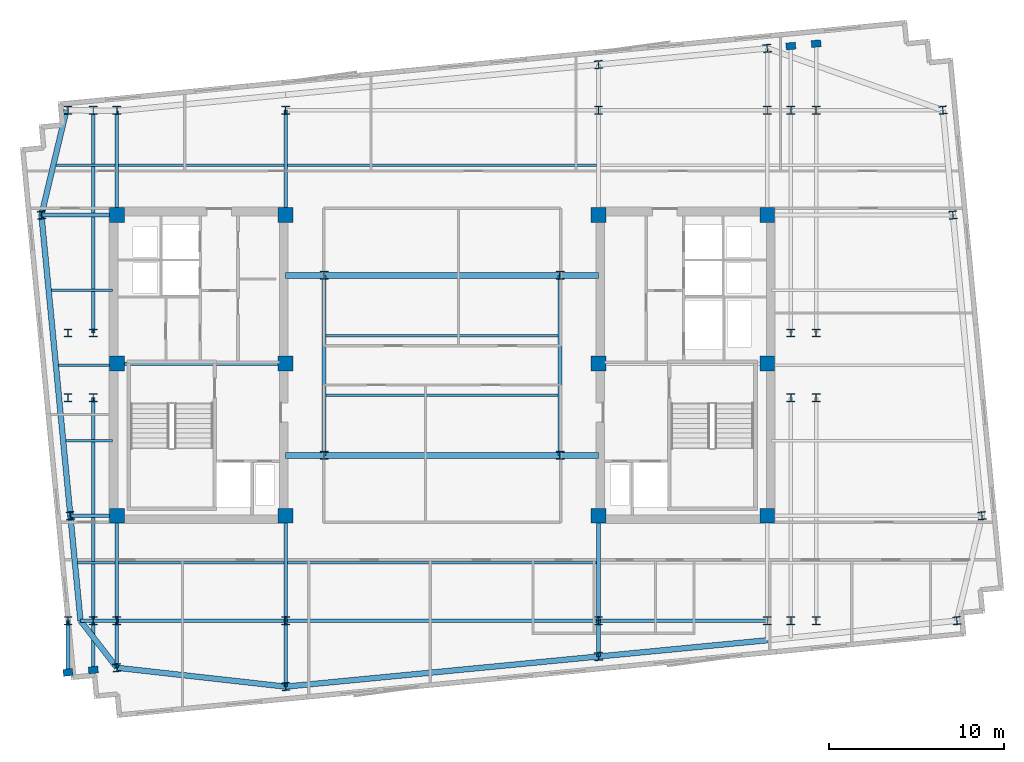
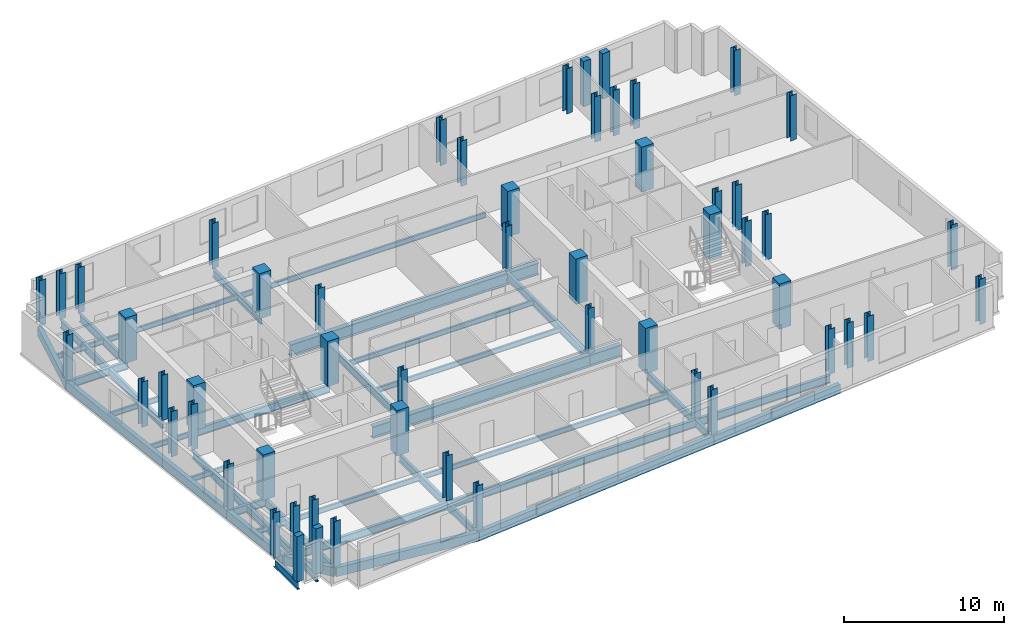
# One storey, part 1 of 9: 55 columns, 45 beams.
"""IFC4 building model written with IfcOpenShell, lengths in metres."""

from ifc_helpers import new_model, si_unit, direction, frame, origin, origin_2d, place, context, subcontext, project, spatial, rectangle, i_section, extrude, material, material_profile, profile_set, type_object, element, save


model = new_model("IFC4")

# Units and contexts
model_context = context("Model", 3, precision=1e-05, world=origin(), true_north=direction((0.0, 1.0)))
body_context = subcontext(model_context, "Body", "Model", "MODEL_VIEW")
ifc_project = project(units=[si_unit("LENGTHUNIT", "METRE"), si_unit("AREAUNIT", "SQUARE_METRE"), si_unit("VOLUMEUNIT", "CUBIC_METRE"), si_unit("PLANEANGLEUNIT", "RADIAN"), si_unit("MASSUNIT", "GRAM", prefix="KILO")], contexts=[model_context])

# Site, building, storey
site_placement = place(None, origin())
site = spatial("IfcSite", under=ifc_project, at=site_placement, CompositionType="ELEMENT")
building_placement = place(site_placement, origin())
building = spatial("IfcBuilding", under=site, at=building_placement, Name="Velakula Bourse", CompositionType="ELEMENT")
storey_placement = place(building_placement, frame((0.0, 0.0, 262.050048828125)))
storey = spatial("IfcBuildingStorey", under=building, at=storey_placement, Name="L71", CompositionType="ELEMENT", Elevation=262.050048828125)

# Columns
ifc_material_1 = material(Name="Concrete M50 (fck 50 MPa)", Category="concrete")
ifc_material_profile_1 = material_profile(ifc_material_1, rectangle(XDim=0.85009765625, YDim=0.85009765625, at=origin_2d()), Name="Concrete M50 (fck 50 MPa)")
ifc_profile_set_1 = profile_set([ifc_material_profile_1], Name="Concrete M50 (fck 50 MPa)")
column_type_1 = type_object("IfcColumnType", Name="COL-RC-850", PredefinedType="COLUMN", material=ifc_profile_set_1)
for number, where, z_axis, x_axis, name in (
    (1, (-8.949951171875, -8.60009765625, 0.0), (0.0, 0.0, 1.0), (1.0, 0.0, 0.0), "L71 Core Boundary Column 01"),
    (2, (-8.949951171875, 0.10009765625, 0.0), (0.0, 0.0, 1.0), (1.0, 0.0, 0.0), "L71 Core Boundary Column 02"),
    (3, (-8.949951171875, 8.60009765625, 0.0), (0.0, 0.0, 1.0), (1.0, 0.0, 0.0), "L71 Core Boundary Column 03"),
    (4, (-18.60009765625, -8.60009765625, 0.0), (0.0, 0.0, 1.0), (1.0, 0.0, 0.0), "L71 Core Boundary Column 04"),
    (5, (-18.60009765625, 0.10009765625, 0.0), (0.0, 0.0, 1.0), (1.0, 0.0, 0.0), "L71 Core Boundary Column 05"),
    (6, (-18.60009765625, 8.60009765625, 0.0), (0.0, 0.0, 1.0), (1.0, 0.0, 0.0), "L71 Core Boundary Column 06"),
    (7, (8.949951171875, -8.60009765625, 0.0), (0.0, 0.0, 1.0), (1.0, 0.0, 0.0), "L71 Core Boundary Column 07"),
    (8, (8.949951171875, 0.10009765625, 0.0), (0.0, 0.0, 1.0), (1.0, 0.0, 0.0), "L71 Core Boundary Column 08"),
    (9, (8.949951171875, 8.60009765625, 0.0), (0.0, 0.0, 1.0), (1.0, 0.0, 0.0), "L71 Core Boundary Column 09"),
    (10, (18.60009765625, -8.60009765625, 0.0), (0.0, 0.0, 1.0), (1.0, 0.0, 0.0), "L71 Core Boundary Column 10"),
    (11, (18.60009765625, 0.10009765625, 0.0), (0.0, 0.0, 1.0), (1.0, 0.0, 0.0), "L71 Core Boundary Column 11"),
    (12, (18.60009765625, 8.60009765625, 0.0), (0.0, 0.0, 1.0), (1.0, 0.0, 0.0), "L71 Core Boundary Column 12"),
):
    element("IfcColumn", number, at=place(storey_placement, frame(where, z_axis=z_axis, x_axis=x_axis)), inside=storey, type_object=column_type_1, Name=name, PredefinedType="COLUMN", context=body_context, shape_type="SweptSolid", body=[
        extrude(rectangle(XDim=0.85009765625, YDim=0.85009765625, at=origin_2d()), origin(), (0.0, 0.0, 1.0), 3.449951171875),
    ])
ifc_material_2 = material(Name="Steel IS 2062 Grade 350 (E350)", Category="steel")
ifc_material_profile_2 = material_profile(ifc_material_2, i_section(OverallWidth=0.449951171875, OverallDepth=0.449951171875, WebThickness=0.02197265625, FlangeThickness=0.031982421875, at=origin_2d()), Name="Steel IS 2062 Grade 350 (E350)")
ifc_profile_set_2 = profile_set([ifc_material_profile_2], Name="Steel IS 2062 Grade 350 (E350)")
column_type_2 = type_object("IfcColumnType", Name="COL-STL-450", PredefinedType="COLUMN", material=ifc_profile_set_2)
for number, where, z_axis, x_axis, name in (
    (13, (-6.75, -5.14990234375, 0.0), (0.0, 0.0, 1.0), (1.0, 0.0, 0.0), "L71 Central Spine Column 01"),
    (14, (-6.75, 5.14990234375, 0.0), (0.0, 0.0, 1.0), (1.0, 0.0, 0.0), "L71 Central Spine Column 02"),
    (15, (6.75, -5.14990234375, 0.0), (0.0, 0.0, 1.0), (1.0, 0.0, 0.0), "L71 Central Spine Column 03"),
    (16, (6.75, 5.14990234375, 0.0), (0.0, 0.0, 1.0), (1.0, 0.0, 0.0), "L71 Central Spine Column 04"),
    (17, (-21.39990234375, -14.60009765625, 0.0), (0.0, 0.0, 1.0), (1.0, 0.0, 0.0), "L71 Tower Fulcrum Column 01"),
    (18, (-21.39990234375, 14.60009765625, 0.0), (0.0, 0.0, 1.0), (1.0, 0.0, 0.0), "L71 Tower Fulcrum Column 02"),
    (19, (-19.949951171875, -14.60009765625, 0.0), (0.0, 0.0, 1.0), (1.0, 0.0, 0.0), "L71 Tower Fulcrum Column 03"),
    (20, (-19.949951171875, 14.60009765625, 0.0), (0.0, 0.0, 1.0), (1.0, 0.0, 0.0), "L71 Tower Fulcrum Column 04"),
    (21, (-18.60009765625, -14.60009765625, 0.0), (0.0, 0.0, 1.0), (1.0, 0.0, 0.0), "L71 Tower Fulcrum Column 05"),
    (22, (-18.60009765625, 14.60009765625, 0.0), (0.0, 0.0, 1.0), (1.0, 0.0, 0.0), "L71 Tower Fulcrum Column 06"),
    (23, (-8.949951171875, -14.60009765625, 0.0), (0.0, 0.0, 1.0), (1.0, 0.0, 0.0), "L71 Tower Fulcrum Column 07"),
    (24, (-8.949951171875, 14.60009765625, 0.0), (0.0, 0.0, 1.0), (1.0, 0.0, 0.0), "L71 Tower Fulcrum Column 08"),
    (25, (8.949951171875, -14.60009765625, 0.0), (0.0, 0.0, 1.0), (1.0, 0.0, 0.0), "L71 Tower Fulcrum Column 09"),
    (26, (8.949951171875, 14.60009765625, 0.0), (0.0, 0.0, 1.0), (1.0, 0.0, 0.0), "L71 Tower Fulcrum Column 10"),
    (27, (18.60009765625, -14.60009765625, 0.0), (0.0, 0.0, 1.0), (1.0, 0.0, 0.0), "L71 Tower Fulcrum Column 11"),
    (28, (18.60009765625, 14.60009765625, 0.0), (0.0, 0.0, 1.0), (1.0, 0.0, 0.0), "L71 Tower Fulcrum Column 12"),
    (29, (19.949951171875, -14.60009765625, 0.0), (0.0, 0.0, 1.0), (1.0, 0.0, 0.0), "L71 Tower Fulcrum Column 13"),
    (30, (19.949951171875, 14.60009765625, 0.0), (0.0, 0.0, 1.0), (1.0, 0.0, 0.0), "L71 Tower Fulcrum Column 14"),
    (31, (21.39990234375, -14.60009765625, 0.0), (0.0, 0.0, 1.0), (1.0, 0.0, 0.0), "L71 Tower Fulcrum Column 15"),
    (32, (21.39990234375, 14.60009765625, 0.0), (0.0, 0.0, 1.0), (1.0, 0.0, 0.0), "L71 Tower Fulcrum Column 16"),
    (33, (-21.39990234375, -1.85009765625, 0.0), (0.0, 0.0, 1.0), (1.0, 0.0, 0.0), "L71 Tower Fulcrum Column 17"),
    (34, (-21.39990234375, 1.85009765625, 0.0), (0.0, 0.0, 1.0), (1.0, 0.0, 0.0), "L71 Tower Fulcrum Column 18"),
    (35, (-19.949951171875, -1.85009765625, 0.0), (0.0, 0.0, 1.0), (1.0, 0.0, 0.0), "L71 Tower Fulcrum Column 19"),
    (36, (-19.949951171875, 1.85009765625, 0.0), (0.0, 0.0, 1.0), (1.0, 0.0, 0.0), "L71 Tower Fulcrum Column 20"),
    (37, (19.949951171875, -1.85009765625, 0.0), (0.0, 0.0, 1.0), (1.0, 0.0, 0.0), "L71 Tower Fulcrum Column 21"),
    (38, (19.949951171875, 1.85009765625, 0.0), (0.0, 0.0, 1.0), (1.0, 0.0, 0.0), "L71 Tower Fulcrum Column 22"),
    (39, (21.39990234375, -1.85009765625, 0.0), (0.0, 0.0, 1.0), (1.0, 0.0, 0.0), "L71 Tower Fulcrum Column 23"),
    (40, (21.39990234375, 1.85009765625, 0.0), (0.0, 0.0, 1.0), (1.0, 0.0, 0.0), "L71 Tower Fulcrum Column 24"),
    (41, (-18.60009765625, -17.294921875, 0.0), (0.0, 0.0, 1.0), (0.995396198367, 0.09584575252, 0.0), "L71 Block B6 Perimeter Column S1"),
    (42, (-8.949951171875, -18.375, 0.0), (0.0, 0.0, 1.0), (0.995396198367, 0.09584575252, 0.0), "L71 Block B6 Perimeter Column S2"),
    (43, (8.949951171875, -16.6513671875, 0.0), (0.0, 0.0, 1.0), (0.995396198367, 0.09584575252, 0.0), "L71 Block B6 Perimeter Column S3"),
    (44, (8.949951171875, 17.20458984375, 0.0), (0.0, 0.0, 1.0), (0.995396198367, 0.09584575252, 0.0), "L71 Block B6 Perimeter Column N3"),
    (45, (18.60009765625, 18.1337890625, 0.0), (0.0, 0.0, 1.0), (0.995396198367, 0.09584575252, 0.0), "L71 Block B6 Perimeter Column N4"),
    (46, (-21.26123046875, -8.60009765625, 0.0), (0.0, 0.0, 1.0), (0.995396198367, 0.09584575252, 0.0), "L71 Block B6 Perimeter Column W2"),
    (47, (-22.91748046875, 8.60009765625, 0.0), (0.0, 0.0, 1.0), (0.995396198367, 0.09584575252, 0.0), "L71 Block B6 Perimeter Column W3"),
    (48, (29.447265625, -14.60009765625, 0.0), (0.0, 0.0, 1.0), (0.995396198367, 0.09584575252, 0.0), "L71 Block B6 Perimeter Column E1"),
    (49, (30.87890625, -8.60009765625, 0.0), (0.0, 0.0, 1.0), (0.995396198367, 0.09584575252, 0.0), "L71 Block B6 Perimeter Column E2"),
    (50, (29.22265625, 8.60009765625, 0.0), (0.0, 0.0, 1.0), (0.995396198367, 0.09584575252, 0.0), "L71 Block B6 Perimeter Column E3"),
    (51, (28.64501953125, 14.60009765625, 0.0), (0.0, 0.0, 1.0), (0.995396198367, 0.09584575252, 0.0), "L71 Block B6 Perimeter Column E4"),
):
    element("IfcColumn", number, at=place(storey_placement, frame(where, z_axis=z_axis, x_axis=x_axis)), inside=storey, type_object=column_type_2, Name=name, PredefinedType="COLUMN", context=body_context, shape_type="SweptSolid", body=[
        extrude(i_section(OverallWidth=0.449951171875, OverallDepth=0.449951171875, WebThickness=0.02197265625, FlangeThickness=0.031982421875, at=origin_2d()), origin(), (0.0, 0.0, 1.0), 3.449951171875),
    ])
ifc_material_3 = material(Name="Precast concrete M45 (fck 45 MPa)", Category="concrete")
ifc_material_profile_3 = material_profile(ifc_material_3, rectangle(XDim=0.550048828125, YDim=0.39990234375, at=origin_2d()), Name="Precast concrete M45 (fck 45 MPa)")
ifc_profile_set_3 = profile_set([ifc_material_profile_3], Name="Precast concrete M45 (fck 45 MPa)")
column_type_3 = type_object("IfcColumnType", Name="PIL-BRICK-550", PredefinedType="PILASTER", material=ifc_profile_set_3)
for number, where, z_axis, x_axis, name in (
    (52, (-21.39990234375, -17.564453125, 0.0), (0.0, 0.0, 1.0), (0.995396198367, 0.09584575252, 0.0), "L71 Brick Pier Pilaster 01"),
    (53, (-19.949951171875, -17.4248046875, 0.0), (0.0, 0.0, 1.0), (0.995396198367, 0.09584575252, 0.0), "L71 Brick Pier Pilaster 02"),
    (54, (19.949951171875, 18.263671875, 0.0), (0.0, 0.0, 1.0), (0.995396198367, 0.09584575252, 0.0), "L71 Brick Pier Pilaster 07"),
    (55, (21.39990234375, 18.4033203125, 0.0), (0.0, 0.0, 1.0), (0.995396198367, 0.09584575252, 0.0), "L71 Brick Pier Pilaster 08"),
):
    element("IfcColumn", number, at=place(storey_placement, frame(where, z_axis=z_axis, x_axis=x_axis)), inside=storey, type_object=column_type_3, Name=name, PredefinedType="PILASTER", context=body_context, shape_type="SweptSolid", body=[
        extrude(rectangle(XDim=0.550048828125, YDim=0.39990234375, at=origin_2d()), origin(), (0.0, 0.0, 1.0), 3.449951171875),
    ])

# Beams
ifc_material_profile_4 = material_profile(ifc_material_2, i_section(OverallWidth=0.2099609375, OverallDepth=0.60009765625, WebThickness=0.011962890625, FlangeThickness=0.020751953125, at=origin_2d()), Name="Steel IS 2062 Grade 350 (E350)")
ifc_profile_set_4 = profile_set([ifc_material_profile_4], Name="Steel IS 2062 Grade 350 (E350)")
beam_type_1 = type_object("IfcBeamType", Name="BM-GRD-600L", PredefinedType="BEAM", material=ifc_profile_set_4)
beam_1_placement = place(storey_placement, frame((-18.60009765625, 0.10009765625, -0.47998046875), z_axis=(1.0, 0.0, 0.0), x_axis=(0.0, 1.0, 0.0)))
element("IfcBeam", 56, at=beam_1_placement, inside=storey, type_object=beam_type_1, Name="L71 Primary Backbone Girder CRW-M", PredefinedType="BEAM", context=body_context, shape_type="SweptSolid", body=[
    extrude(i_section(OverallWidth=0.2099609375, OverallDepth=0.60009765625, WebThickness=0.011962890625, FlangeThickness=0.020751953125, at=origin_2d()), origin(), (0.0, 0.0, 1.0), 9.650146484375),
])
for number, where, z_axis, x_axis, name in (
    (57, (-6.75, -5.14990234375, -0.47998046875), (0.0, 1.0, 0.0), (-1.0, 0.0, 0.0), "L71 Primary Backbone Girder SPN-W"),
    (58, (6.75, -5.14990234375, -0.47998046875), (0.0, 1.0, 0.0), (-1.0, 0.0, 0.0), "L71 Primary Backbone Girder SPN-E"),
):
    element("IfcBeam", number, at=place(storey_placement, frame(where, z_axis=z_axis, x_axis=x_axis)), inside=storey, type_object=beam_type_1, Name=name, PredefinedType="BEAM", context=body_context, shape_type="SweptSolid", body=[
        extrude(i_section(OverallWidth=0.2099609375, OverallDepth=0.60009765625, WebThickness=0.011962890625, FlangeThickness=0.020751953125, at=origin_2d()), origin(), (0.0, 0.0, 1.0), 10.2998046875),
    ])
beam_2_placement = place(storey_placement, frame((-18.60009765625, -14.60009765625, -0.47998046875), z_axis=(0.0, 1.0, 0.0), x_axis=(-1.0, 0.0, 0.0)))
element("IfcBeam", 59, at=beam_2_placement, inside=storey, type_object=beam_type_1, Name="L71 Fulcrum Grid Girder FLC-WS", PredefinedType="BEAM", context=body_context, shape_type="SweptSolid", body=[
    extrude(i_section(OverallWidth=0.2099609375, OverallDepth=0.60009765625, WebThickness=0.011962890625, FlangeThickness=0.020751953125, at=origin_2d()), origin(), (0.0, 0.0, 1.0), 6.0),
])
beam_3_placement = place(storey_placement, frame((-18.60009765625, 8.60009765625, -0.47998046875), z_axis=(0.0, 1.0, 0.0), x_axis=(-1.0, 0.0, 0.0)))
element("IfcBeam", 60, at=beam_3_placement, inside=storey, type_object=beam_type_1, Name="L71 Fulcrum Grid Girder FLC-WN", PredefinedType="BEAM", context=body_context, shape_type="SweptSolid", body=[
    extrude(i_section(OverallWidth=0.2099609375, OverallDepth=0.60009765625, WebThickness=0.011962890625, FlangeThickness=0.020751953125, at=origin_2d()), origin(), (0.0, 0.0, 1.0), 5.95166015625),
])
for number, where, z_axis, x_axis, name in (
    (61, (-8.949951171875, -14.60009765625, -0.47998046875), (0.0, 1.0, 0.0), (-1.0, 0.0, 0.0), "L71 Fulcrum Grid Girder FLC-WCS"),
    (62, (-8.949951171875, 8.60009765625, -0.47998046875), (0.0, 1.0, 0.0), (-1.0, 0.0, 0.0), "L71 Fulcrum Grid Girder FLC-WCN"),
    (63, (8.949951171875, -14.60009765625, -0.47998046875), (0.0, 1.0, 0.0), (-1.0, 0.0, 0.0), "L71 Fulcrum Grid Girder FLC-ECS"),
):
    element("IfcBeam", number, at=place(storey_placement, frame(where, z_axis=z_axis, x_axis=x_axis)), inside=storey, type_object=beam_type_1, Name=name, PredefinedType="BEAM", context=body_context, shape_type="SweptSolid", body=[
        extrude(i_section(OverallWidth=0.2099609375, OverallDepth=0.60009765625, WebThickness=0.011962890625, FlangeThickness=0.020751953125, at=origin_2d()), origin(), (0.0, 0.0, 1.0), 6.0),
    ])
beam_4_placement = place(storey_placement, frame((-18.60009765625, -14.60009765625, -0.47998046875), z_axis=(1.0, 0.0, 0.0), x_axis=(0.0, 1.0, 0.0)))
element("IfcBeam", 64, at=beam_4_placement, inside=storey, type_object=beam_type_1, Name="L71 Fulcrum Grid Girder FLC-S1", PredefinedType="BEAM", context=body_context, shape_type="SweptSolid", body=[
    extrude(i_section(OverallWidth=0.2099609375, OverallDepth=0.60009765625, WebThickness=0.011962890625, FlangeThickness=0.020751953125, at=origin_2d()), origin(), (0.0, 0.0, 1.0), 9.650146484375),
])
beam_5_placement = place(storey_placement, frame((-8.949951171875, -14.60009765625, -0.47998046875), z_axis=(1.0, 0.0, 0.0), x_axis=(0.0, 1.0, 0.0)))
element("IfcBeam", 65, at=beam_5_placement, inside=storey, type_object=beam_type_1, Name="L71 Fulcrum Grid Girder FLC-S2", PredefinedType="BEAM", context=body_context, shape_type="SweptSolid", body=[
    extrude(i_section(OverallWidth=0.2099609375, OverallDepth=0.60009765625, WebThickness=0.011962890625, FlangeThickness=0.020751953125, at=origin_2d()), origin(), (0.0, 0.0, 1.0), 17.89990234375),
])
beam_6_placement = place(storey_placement, frame((8.949951171875, -14.60009765625, -0.47998046875), z_axis=(1.0, 0.0, 0.0), x_axis=(0.0, 1.0, 0.0)))
element("IfcBeam", 66, at=beam_6_placement, inside=storey, type_object=beam_type_1, Name="L71 Fulcrum Grid Girder FLC-S3", PredefinedType="BEAM", context=body_context, shape_type="SweptSolid", body=[
    extrude(i_section(OverallWidth=0.2099609375, OverallDepth=0.60009765625, WebThickness=0.011962890625, FlangeThickness=0.020751953125, at=origin_2d()), origin(), (0.0, 0.0, 1.0), 9.650146484375),
])
beam_7_placement = place(storey_placement, frame((-19.949951171875, -14.60009765625, -0.47998046875), z_axis=(0.0, 1.0, 0.0), x_axis=(-1.0, 0.0, 0.0)))
element("IfcBeam", 67, at=beam_7_placement, inside=storey, type_object=beam_type_1, Name="L71 Fulcrum Grid Girder FLC-PSW2", PredefinedType="BEAM", context=body_context, shape_type="SweptSolid", body=[
    extrude(i_section(OverallWidth=0.2099609375, OverallDepth=0.60009765625, WebThickness=0.011962890625, FlangeThickness=0.020751953125, at=origin_2d()), origin(), (0.0, 0.0, 1.0), 12.75),
])
beam_8_placement = place(storey_placement, frame((-19.949951171875, 1.85009765625, -0.47998046875), z_axis=(0.0, 1.0, 0.0), x_axis=(-1.0, 0.0, 0.0)))
element("IfcBeam", 68, at=beam_8_placement, inside=storey, type_object=beam_type_1, Name="L71 Fulcrum Grid Girder FLC-PNW2", PredefinedType="BEAM", context=body_context, shape_type="SweptSolid", body=[
    extrude(i_section(OverallWidth=0.2099609375, OverallDepth=0.60009765625, WebThickness=0.011962890625, FlangeThickness=0.020751953125, at=origin_2d()), origin(), (0.0, 0.0, 1.0), 12.72412109375),
])
beam_9_placement = place(storey_placement, frame((-18.60009765625, -14.60009765625, -0.47998046875), z_axis=(0.0, -1.0, 0.0), x_axis=(1.0, 0.0, 0.0)))
element("IfcBeam", 69, at=beam_9_placement, inside=storey, type_object=beam_type_1, Name="L71 Perimeter Tie Girder S1", PredefinedType="BEAM", context=body_context, shape_type="SweptSolid", body=[
    extrude(i_section(OverallWidth=0.2099609375, OverallDepth=0.60009765625, WebThickness=0.011962890625, FlangeThickness=0.020751953125, at=origin_2d()), origin(), (0.0, 0.0, 1.0), 2.69482421875),
])
beam_10_placement = place(storey_placement, frame((-8.949951171875, -14.60009765625, -0.47998046875), z_axis=(0.0, -1.0, 0.0), x_axis=(1.0, 0.0, 0.0)))
element("IfcBeam", 70, at=beam_10_placement, inside=storey, type_object=beam_type_1, Name="L71 Perimeter Tie Girder S2", PredefinedType="BEAM", context=body_context, shape_type="SweptSolid", body=[
    extrude(i_section(OverallWidth=0.2099609375, OverallDepth=0.60009765625, WebThickness=0.011962890625, FlangeThickness=0.020751953125, at=origin_2d()), origin(), (0.0, 0.0, 1.0), 3.77490234375),
])
beam_11_placement = place(storey_placement, frame((8.949951171875, -14.60009765625, -0.47998046875), z_axis=(0.0, -1.0, 0.0), x_axis=(1.0, 0.0, 0.0)))
element("IfcBeam", 71, at=beam_11_placement, inside=storey, type_object=beam_type_1, Name="L71 Perimeter Tie Girder S3", PredefinedType="BEAM", context=body_context, shape_type="SweptSolid", body=[
    extrude(i_section(OverallWidth=0.2099609375, OverallDepth=0.60009765625, WebThickness=0.011962890625, FlangeThickness=0.020751953125, at=origin_2d()), origin(), (0.0, 0.0, 1.0), 2.05126953125),
])
beam_12_placement = place(storey_placement, frame((-18.60009765625, -14.60009765625, -0.47998046875), z_axis=(-1.0, 0.0, 0.0), x_axis=(0.0, -1.0, 0.0)))
element("IfcBeam", 72, at=beam_12_placement, inside=storey, type_object=beam_type_1, Name="L71 Perimeter Tie Girder W1", PredefinedType="BEAM", context=body_context, shape_type="SweptSolid", body=[
    extrude(i_section(OverallWidth=0.2099609375, OverallDepth=0.60009765625, WebThickness=0.011962890625, FlangeThickness=0.020751953125, at=origin_2d()), origin(), (0.0, 0.0, 1.0), 2.08349609375),
])
beam_13_placement = place(storey_placement, frame((-18.60009765625, -8.60009765625, -0.47998046875), z_axis=(-1.0, 0.0, 0.0), x_axis=(0.0, -1.0, 0.0)))
element("IfcBeam", 73, at=beam_13_placement, inside=storey, type_object=beam_type_1, Name="L71 Perimeter Tie Girder W2", PredefinedType="BEAM", context=body_context, shape_type="SweptSolid", body=[
    extrude(i_section(OverallWidth=0.2099609375, OverallDepth=0.60009765625, WebThickness=0.011962890625, FlangeThickness=0.020751953125, at=origin_2d()), origin(), (0.0, 0.0, 1.0), 2.6611328125),
])
beam_14_placement = place(storey_placement, frame((-18.60009765625, 8.60009765625, -0.47998046875), z_axis=(-1.0, 0.0, 0.0), x_axis=(0.0, -1.0, 0.0)))
element("IfcBeam", 74, at=beam_14_placement, inside=storey, type_object=beam_type_1, Name="L71 Perimeter Tie Girder W3", PredefinedType="BEAM", context=body_context, shape_type="SweptSolid", body=[
    extrude(i_section(OverallWidth=0.2099609375, OverallDepth=0.60009765625, WebThickness=0.011962890625, FlangeThickness=0.020751953125, at=origin_2d()), origin(), (0.0, 0.0, 1.0), 4.3173828125),
])
beam_15_placement = place(storey_placement, frame((-21.39990234375, -14.60009765625, -0.47998046875), z_axis=(0.0, -1.0, 0.0), x_axis=(1.0, 0.0, 0.0)))
element("IfcBeam", 75, at=beam_15_placement, inside=storey, type_object=beam_type_1, Name="L71 Perimeter Tie Girder P01", PredefinedType="BEAM", context=body_context, shape_type="SweptSolid", body=[
    extrude(i_section(OverallWidth=0.2099609375, OverallDepth=0.60009765625, WebThickness=0.011962890625, FlangeThickness=0.020751953125, at=origin_2d()), origin(), (0.0, 0.0, 1.0), 2.96435546875),
])
beam_16_placement = place(storey_placement, frame((-19.949951171875, -14.60009765625, -0.47998046875), z_axis=(0.0, -1.0, 0.0), x_axis=(1.0, 0.0, 0.0)))
element("IfcBeam", 76, at=beam_16_placement, inside=storey, type_object=beam_type_1, Name="L71 Perimeter Tie Girder P02", PredefinedType="BEAM", context=body_context, shape_type="SweptSolid", body=[
    extrude(i_section(OverallWidth=0.2099609375, OverallDepth=0.60009765625, WebThickness=0.011962890625, FlangeThickness=0.020751953125, at=origin_2d()), origin(), (0.0, 0.0, 1.0), 2.82470703125),
])
ifc_material_profile_5 = material_profile(ifc_material_2, i_section(OverallWidth=0.35009765625, OverallDepth=0.89990234375, WebThickness=0.02001953125, FlangeThickness=0.031982421875, at=origin_2d()), Name="Steel IS 2062 Grade 350 (E350)")
ifc_profile_set_5 = profile_set([ifc_material_profile_5], Name="Steel IS 2062 Grade 350 (E350)")
beam_type_2 = type_object("IfcBeamType", Name="BM-LNK-900", PredefinedType="BEAM", material=ifc_profile_set_5)
beam_17_placement = place(storey_placement, frame((-8.949951171875, -5.14990234375, -0.630126953125), z_axis=(1.0, 0.0, 0.0), x_axis=(0.0, 1.0, 0.0)))
element("IfcBeam", 77, at=beam_17_placement, inside=storey, type_object=beam_type_2, Name="L71 Primary Backbone Girder LNK-S1", PredefinedType="BEAM", context=body_context, shape_type="SweptSolid", body=[
    extrude(i_section(OverallWidth=0.35009765625, OverallDepth=0.89990234375, WebThickness=0.02001953125, FlangeThickness=0.031982421875, at=origin_2d()), origin(), (0.0, 0.0, 1.0), 2.199951171875),
])
beam_18_placement = place(storey_placement, frame((-6.75, -5.14990234375, -0.630126953125), z_axis=(1.0, 0.0, 0.0), x_axis=(0.0, 1.0, 0.0)))
element("IfcBeam", 78, at=beam_18_placement, inside=storey, type_object=beam_type_2, Name="L71 Primary Backbone Girder LNK-S2", PredefinedType="BEAM", context=body_context, shape_type="SweptSolid", body=[
    extrude(i_section(OverallWidth=0.35009765625, OverallDepth=0.89990234375, WebThickness=0.02001953125, FlangeThickness=0.031982421875, at=origin_2d()), origin(), (0.0, 0.0, 1.0), 13.5),
])
for number, where, z_axis, x_axis, name in (
    (79, (6.75, -5.14990234375, -0.630126953125), (1.0, 0.0, 0.0), (0.0, 1.0, 0.0), "L71 Primary Backbone Girder LNK-S3"),
    (80, (-8.949951171875, 5.14990234375, -0.630126953125), (1.0, 0.0, 0.0), (0.0, 1.0, 0.0), "L71 Primary Backbone Girder LNK-N1"),
):
    element("IfcBeam", number, at=place(storey_placement, frame(where, z_axis=z_axis, x_axis=x_axis)), inside=storey, type_object=beam_type_2, Name=name, PredefinedType="BEAM", context=body_context, shape_type="SweptSolid", body=[
        extrude(i_section(OverallWidth=0.35009765625, OverallDepth=0.89990234375, WebThickness=0.02001953125, FlangeThickness=0.031982421875, at=origin_2d()), origin(), (0.0, 0.0, 1.0), 2.199951171875),
    ])
beam_19_placement = place(storey_placement, frame((-6.75, 5.14990234375, -0.630126953125), z_axis=(1.0, 0.0, 0.0), x_axis=(0.0, 1.0, 0.0)))
element("IfcBeam", 81, at=beam_19_placement, inside=storey, type_object=beam_type_2, Name="L71 Primary Backbone Girder LNK-N2", PredefinedType="BEAM", context=body_context, shape_type="SweptSolid", body=[
    extrude(i_section(OverallWidth=0.35009765625, OverallDepth=0.89990234375, WebThickness=0.02001953125, FlangeThickness=0.031982421875, at=origin_2d()), origin(), (0.0, 0.0, 1.0), 13.5),
])
beam_20_placement = place(storey_placement, frame((6.75, 5.14990234375, -0.630126953125), z_axis=(1.0, 0.0, 0.0), x_axis=(0.0, 1.0, 0.0)))
element("IfcBeam", 82, at=beam_20_placement, inside=storey, type_object=beam_type_2, Name="L71 Primary Backbone Girder LNK-N3", PredefinedType="BEAM", context=body_context, shape_type="SweptSolid", body=[
    extrude(i_section(OverallWidth=0.35009765625, OverallDepth=0.89990234375, WebThickness=0.02001953125, FlangeThickness=0.031982421875, at=origin_2d()), origin(), (0.0, 0.0, 1.0), 2.199951171875),
])
ifc_material_profile_6 = material_profile(ifc_material_2, i_section(OverallWidth=0.139892578125, OverallDepth=0.39990234375, WebThickness=0.0087890625, FlangeThickness=0.01611328125, at=origin_2d()), Name="Steel IS 2062 Grade 350 (E350)")
ifc_profile_set_6 = profile_set([ifc_material_profile_6], Name="Steel IS 2062 Grade 350 (E350)")
beam_type_3 = type_object("IfcBeamType", Name="JST-TWR-400", PredefinedType="JOIST", material=ifc_profile_set_6)
beam_21_placement = place(storey_placement, frame((-20.840576171875, -11.300048828125, -0.380126953125), z_axis=(1.0, 0.0, 0.0), x_axis=(0.0, 1.0, 0.0)))
element("IfcBeam", 83, at=beam_21_placement, inside=storey, type_object=beam_type_3, Name="L71 Trading Floor Composite Joist 03", PredefinedType="JOIST", context=body_context, shape_type="SweptSolid", body=[
    extrude(i_section(OverallWidth=0.139892578125, OverallDepth=0.39990234375, WebThickness=0.0087890625, FlangeThickness=0.01611328125, at=origin_2d()), origin(), (0.0, 0.0, 1.0), 2.135498046875),
])
beam_22_placement = place(storey_placement, frame((-18.4951171875, -11.300048828125, -0.380126953125), z_axis=(1.0, 0.0, 0.0), x_axis=(0.0, 1.0, 0.0)))
element("IfcBeam", 84, at=beam_22_placement, inside=storey, type_object=beam_type_3, Name="L71 Trading Floor Composite Joist 04", PredefinedType="JOIST", context=body_context, shape_type="SweptSolid", body=[
    extrude(i_section(OverallWidth=0.139892578125, OverallDepth=0.39990234375, WebThickness=0.0087890625, FlangeThickness=0.01611328125, at=origin_2d()), origin(), (0.0, 0.0, 1.0), 9.440185546875),
])
beam_23_placement = place(storey_placement, frame((-8.844970703125, -11.300048828125, -0.380126953125), z_axis=(1.0, 0.0, 0.0), x_axis=(0.0, 1.0, 0.0)))
element("IfcBeam", 85, at=beam_23_placement, inside=storey, type_object=beam_type_3, Name="L71 Trading Floor Composite Joist 05", PredefinedType="JOIST", context=body_context, shape_type="SweptSolid", body=[
    extrude(i_section(OverallWidth=0.139892578125, OverallDepth=0.39990234375, WebThickness=0.0087890625, FlangeThickness=0.01611328125, at=origin_2d()), origin(), (0.0, 0.0, 1.0), 17.68994140625),
])
beam_24_placement = place(storey_placement, frame((-22.072998046875, 11.449951171875, -0.380126953125), z_axis=(1.0, 0.0, 0.0), x_axis=(0.0, 1.0, 0.0)))
element("IfcBeam", 86, at=beam_24_placement, inside=storey, type_object=beam_type_3, Name="L71 Trading Floor Composite Joist 08", PredefinedType="JOIST", context=body_context, shape_type="SweptSolid", body=[
    extrude(i_section(OverallWidth=0.139892578125, OverallDepth=0.39990234375, WebThickness=0.0087890625, FlangeThickness=0.01611328125, at=origin_2d()), origin(), (0.0, 0.0, 1.0), 3.367919921875),
])
beam_25_placement = place(storey_placement, frame((-18.4951171875, 11.449951171875, -0.380126953125), z_axis=(1.0, 0.0, 0.0), x_axis=(0.0, 1.0, 0.0)))
element("IfcBeam", 87, at=beam_25_placement, inside=storey, type_object=beam_type_3, Name="L71 Trading Floor Composite Joist 09", PredefinedType="JOIST", context=body_context, shape_type="SweptSolid", body=[
    extrude(i_section(OverallWidth=0.139892578125, OverallDepth=0.39990234375, WebThickness=0.0087890625, FlangeThickness=0.01611328125, at=origin_2d()), origin(), (0.0, 0.0, 1.0), 9.440185546875),
])
beam_26_placement = place(storey_placement, frame((-8.844970703125, 11.449951171875, -0.380126953125), z_axis=(1.0, 0.0, 0.0), x_axis=(0.0, 1.0, 0.0)))
element("IfcBeam", 88, at=beam_26_placement, inside=storey, type_object=beam_type_3, Name="L71 Trading Floor Composite Joist 10", PredefinedType="JOIST", context=body_context, shape_type="SweptSolid", body=[
    extrude(i_section(OverallWidth=0.139892578125, OverallDepth=0.39990234375, WebThickness=0.0087890625, FlangeThickness=0.01611328125, at=origin_2d()), origin(), (0.0, 0.0, 1.0), 17.68994140625),
])
for number, where, z_axis, x_axis, name in (
    (89, (-6.64501953125, -1.699951171875, -0.380126953125), (1.0, 0.0, 0.0), (0.0, 1.0, 0.0), "L71 Trading Floor Composite Joist 14"),
    (90, (-6.64501953125, 1.699951171875, -0.380126953125), (1.0, 0.0, 0.0), (0.0, 1.0, 0.0), "L71 Trading Floor Composite Joist 15"),
):
    element("IfcBeam", number, at=place(storey_placement, frame(where, z_axis=z_axis, x_axis=x_axis)), inside=storey, type_object=beam_type_3, Name=name, PredefinedType="JOIST", context=body_context, shape_type="SweptSolid", body=[
        extrude(i_section(OverallWidth=0.139892578125, OverallDepth=0.39990234375, WebThickness=0.0087890625, FlangeThickness=0.01611328125, at=origin_2d()), origin(), (0.0, 0.0, 1.0), 13.2900390625),
    ])
beam_27_placement = place(storey_placement, frame((-21.514404296875, -4.300048828125, -0.380126953125), z_axis=(1.0, 0.0, 0.0), x_axis=(0.0, 1.0, 0.0)))
element("IfcBeam", 91, at=beam_27_placement, inside=storey, type_object=beam_type_3, Name="L71 Trading Floor Composite Joist 16", PredefinedType="JOIST", context=body_context, shape_type="SweptSolid", body=[
    extrude(i_section(OverallWidth=0.139892578125, OverallDepth=0.39990234375, WebThickness=0.0087890625, FlangeThickness=0.01611328125, at=origin_2d()), origin(), (0.0, 0.0, 1.0), 2.664306640625),
])
beam_28_placement = place(storey_placement, frame((-21.9287109375, 0.0, -0.380126953125), z_axis=(1.0, 0.0, 0.0), x_axis=(0.0, 1.0, 0.0)))
element("IfcBeam", 92, at=beam_28_placement, inside=storey, type_object=beam_type_3, Name="L71 Trading Floor Composite Joist 18", PredefinedType="JOIST", context=body_context, shape_type="SweptSolid", body=[
    extrude(i_section(OverallWidth=0.139892578125, OverallDepth=0.39990234375, WebThickness=0.0087890625, FlangeThickness=0.01611328125, at=origin_2d()), origin(), (0.0, 0.0, 1.0), 3.07861328125),
])
beam_29_placement = place(storey_placement, frame((-22.342529296875, 4.300048828125, -0.380126953125), z_axis=(1.0, 0.0, 0.0), x_axis=(0.0, 1.0, 0.0)))
element("IfcBeam", 93, at=beam_29_placement, inside=storey, type_object=beam_type_3, Name="L71 Trading Floor Composite Joist 20", PredefinedType="JOIST", context=body_context, shape_type="SweptSolid", body=[
    extrude(i_section(OverallWidth=0.139892578125, OverallDepth=0.39990234375, WebThickness=0.0087890625, FlangeThickness=0.01611328125, at=origin_2d()), origin(), (0.0, 0.0, 1.0), 3.492431640625),
])
ifc_material_profile_7 = material_profile(ifc_material_3, rectangle(XDim=0.320068359375, YDim=0.679931640625, at=origin_2d()), Name="Precast concrete M45 (fck 45 MPa)")
ifc_profile_set_7 = profile_set([ifc_material_profile_7], Name="Precast concrete M45 (fck 45 MPa)")
beam_type_4 = type_object("IfcBeamType", Name="SPN-BRICK-680", PredefinedType="SPANDREL", material=ifc_profile_set_7)
beam_30_placement = place(storey_placement, frame((-18.60009765625, -17.294921875, -0.52001953125), z_axis=(0.993794803874, -0.111228988093, 0.0), x_axis=(0.111228988093, 0.993794803874, 0.0)))
element("IfcBeam", 94, at=beam_30_placement, inside=storey, type_object=beam_type_4, Name="L71 Brick-Faced Precast Spandrel S1-S2", PredefinedType="SPANDREL", context=body_context, shape_type="SweptSolid", body=[
    extrude(rectangle(XDim=0.320068359375, YDim=0.679931640625, at=origin_2d()), origin(), (0.0, 0.0, 1.0), 9.71044921875),
])
beam_31_placement = place(storey_placement, frame((-8.949951171875, -18.375, -0.52001953125), z_axis=(0.995395836254, 0.095849513134, 0.0), x_axis=(-0.095849513134, 0.995395836254, 0.0)))
element("IfcBeam", 95, at=beam_31_placement, inside=storey, type_object=beam_type_4, Name="L71 Brick-Faced Precast Spandrel S2-S3", PredefinedType="SPANDREL", context=body_context, shape_type="SweptSolid", body=[
    extrude(rectangle(XDim=0.320068359375, YDim=0.679931640625, at=origin_2d()), origin(), (0.0, 0.0, 1.0), 17.982666015625),
])
beam_32_placement = place(storey_placement, frame((8.949951171875, -16.6513671875, -0.52001953125), z_axis=(0.99539623971, 0.095845323155, 0.0), x_axis=(-0.095845323155, 0.99539623971, 0.0)))
element("IfcBeam", 96, at=beam_32_placement, inside=storey, type_object=beam_type_4, Name="L71 Brick-Faced Precast Spandrel S3-S4", PredefinedType="SPANDREL", context=body_context, shape_type="SweptSolid", body=[
    extrude(rectangle(XDim=0.320068359375, YDim=0.679931640625, at=origin_2d()), origin(), (0.0, 0.0, 1.0), 9.69482421875),
])
beam_33_placement = place(storey_placement, frame((-20.68359375, -14.60009765625, -0.52001953125), z_axis=(-0.095829714309, 0.995397742541, 0.0), x_axis=(-0.995397742541, -0.095829714309, 0.0)))
element("IfcBeam", 97, at=beam_33_placement, inside=storey, type_object=beam_type_4, Name="L71 Brick-Faced Precast Spandrel W1-W2", PredefinedType="SPANDREL", context=body_context, shape_type="SweptSolid", body=[
    extrude(rectangle(XDim=0.320068359375, YDim=0.679931640625, at=origin_2d()), origin(), (0.0, 0.0, 1.0), 6.02783203125),
])
beam_34_placement = place(storey_placement, frame((-21.26123046875, -8.60009765625, -0.52001953125), z_axis=(-0.095849167925, 0.995395869495, 0.0), x_axis=(-0.995395869495, -0.095849167925, 0.0)))
element("IfcBeam", 98, at=beam_34_placement, inside=storey, type_object=beam_type_4, Name="L71 Brick-Faced Precast Spandrel W2-W3", PredefinedType="SPANDREL", context=body_context, shape_type="SweptSolid", body=[
    extrude(rectangle(XDim=0.320068359375, YDim=0.679931640625, at=origin_2d()), origin(), (0.0, 0.0, 1.0), 17.27978515625),
])
beam_35_placement = place(storey_placement, frame((-22.91748046875, 8.60009765625, -0.52001953125), z_axis=(0.232091371601, 0.972693988482, 0.0), x_axis=(-0.972693988482, 0.232091371601, 0.0)))
element("IfcBeam", 99, at=beam_35_placement, inside=storey, type_object=beam_type_4, Name="L71 Brick-Faced Precast Spandrel W3-W4", PredefinedType="SPANDREL", context=body_context, shape_type="SweptSolid", body=[
    extrude(rectangle(XDim=0.320068359375, YDim=0.679931640625, at=origin_2d()), origin(), (0.0, 0.0, 1.0), 6.16845703125),
])
beam_36_placement = place(storey_placement, frame((-20.68359375, -14.60009765625, -0.52001953125), z_axis=(0.61165554427, -0.791124197053, 0.0), x_axis=(0.791124197053, 0.61165554427, 0.0)))
element("IfcBeam", 100, at=beam_36_placement, inside=storey, type_object=beam_type_4, Name="L71 Brick-Faced Precast Spandrel W1-S1", PredefinedType="SPANDREL", context=body_context, shape_type="SweptSolid", body=[
    extrude(rectangle(XDim=0.320068359375, YDim=0.679931640625, at=origin_2d()), origin(), (0.0, 0.0, 1.0), 3.40625),
])

save(model, "model.ifc")
